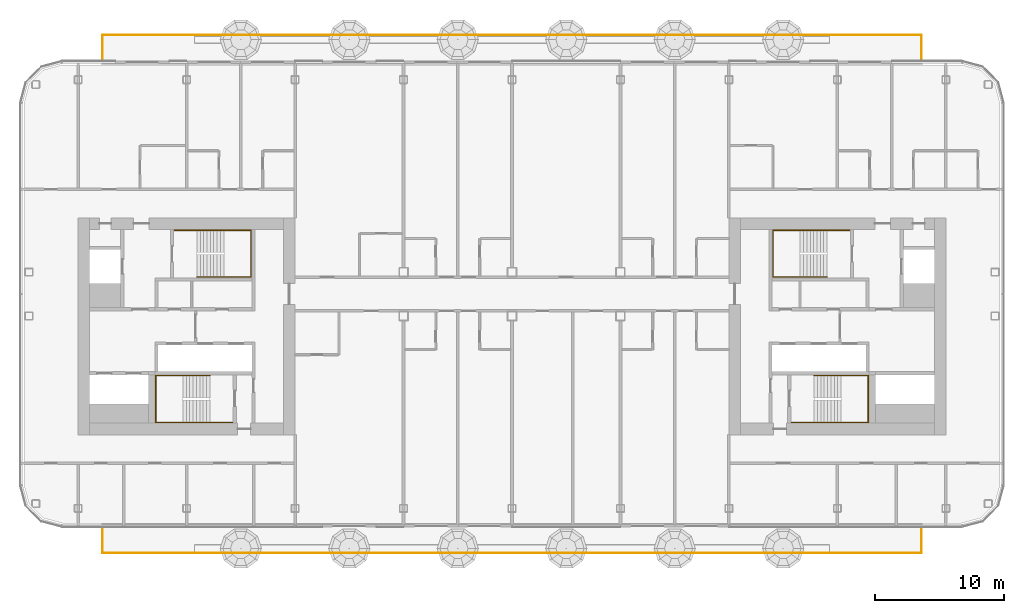
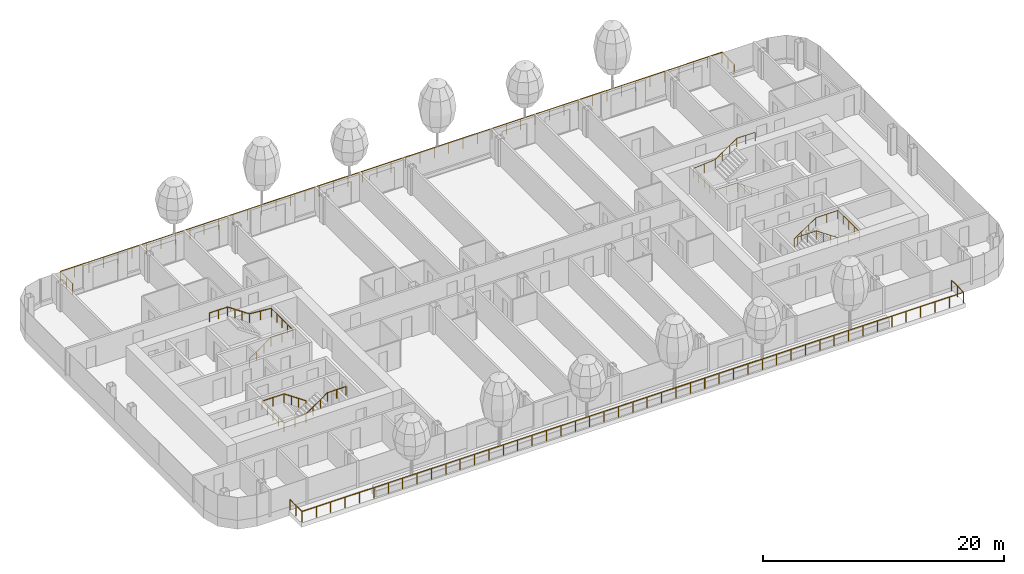
# One storey, part 24 of 28: 6 railings.
"""IFC4 building model written with IfcOpenShell, lengths in metres."""

from ifc_helpers import new_model, si_unit, direction, frame, origin, origin_2d, place, context, subcontext, project, spatial, circle, extrude, material, type_object, element, save


model = new_model("IFC4")

# Units and contexts
model_context = context("Model", 3, precision=1e-05, world=origin(), true_north=direction((0.0, 1.0)))
body_context = subcontext(model_context, "Body", "Model", "MODEL_VIEW")
ifc_project = project(units=[si_unit("LENGTHUNIT", "METRE"), si_unit("AREAUNIT", "SQUARE_METRE"), si_unit("VOLUMEUNIT", "CUBIC_METRE"), si_unit("PLANEANGLEUNIT", "RADIAN"), si_unit("MASSUNIT", "GRAM", prefix="KILO")], contexts=[model_context])

# Site, building, storey
site_placement = place(None, origin())
site = spatial("IfcSite", under=ifc_project, at=site_placement, CompositionType="ELEMENT")
building_placement = place(site_placement, origin())
building = spatial("IfcBuilding", under=site, at=building_placement, Name="Hakoniwa Tower and Hamabe Station Hall", CompositionType="ELEMENT")
storey_placement = place(building_placement, frame((0.0, 0.0, 193.0)))
storey = spatial("IfcBuildingStorey", under=building, at=storey_placement, Name="L54", CompositionType="ELEMENT", Elevation=193.0)

# Railings
ifc_material_1 = material(Name="Stainless steel and laminated glass", Category="steel")
railing_type_1 = type_object("IfcRailingType", Name="BALCONY BALUSTRADE 1100", PredefinedType="BALUSTRADE", material=ifc_material_1)
railing_1_placement = place(storey_placement, frame((-31.699951171875, 20.550048828125, 0.0)))
element("IfcRailing", 1, at=railing_1_placement, inside=storey, type_object=railing_type_1, Name="Balcony balustrade", PredefinedType="BALUSTRADE", context=body_context, shape_type="SweptSolid", body=[
    extrude(circle(Radius=0.02392578125, at=origin_2d()), frame((0.0, 0.0, 1.076171875), z_axis=(0.0, 1.0, 0.0), x_axis=(-1.0, 0.0, 0.0)), (0.0, 0.0, 1.0), 2.0),
    extrude(circle(Radius=0.02392578125, at=origin_2d()), frame((0.0, 2.0, 1.076171875), z_axis=(1.0, 0.0, 0.0), x_axis=(0.0, 1.0, 0.0)), (0.0, 0.0, 1.0), 63.39990234375),
    extrude(circle(Radius=0.02392578125, at=origin_2d()), frame((63.39990234375, 2.0, 1.076171875), z_axis=(0.0, -1.0, 0.0), x_axis=(1.0, 0.0, 0.0)), (0.0, 0.0, 1.0), 2.0),
    extrude(circle(Radius=0.02099609375, at=origin_2d()), origin(), (0.0, 0.0, 1.0), 1.052001953125),
    extrude(circle(Radius=0.02099609375, at=origin_2d()), frame((0.0, 1.0, 0.0)), (0.0, 0.0, 1.0), 1.052001953125),
    extrude(circle(Radius=0.02099609375, at=origin_2d()), frame((0.0, 2.0, 0.0)), (0.0, 0.0, 1.0), 1.052001953125),
    extrude(circle(Radius=0.02099609375, at=origin_2d()), frame((1.378173828125, 2.0, 0.0)), (0.0, 0.0, 1.0), 1.052001953125),
    extrude(circle(Radius=0.02099609375, at=origin_2d()), frame((2.756591796875, 2.0, 0.0)), (0.0, 0.0, 1.0), 1.052001953125),
    extrude(circle(Radius=0.02099609375, at=origin_2d()), frame((4.134765625, 2.0, 0.0)), (0.0, 0.0, 1.0), 1.052001953125),
    extrude(circle(Radius=0.02099609375, at=origin_2d()), frame((5.512939453125, 2.0, 0.0)), (0.0, 0.0, 1.0), 1.052001953125),
    extrude(circle(Radius=0.02099609375, at=origin_2d()), frame((6.891357421875, 2.0, 0.0)), (0.0, 0.0, 1.0), 1.052001953125),
    extrude(circle(Radius=0.02099609375, at=origin_2d()), frame((8.26953125, 2.0, 0.0)), (0.0, 0.0, 1.0), 1.052001953125),
    extrude(circle(Radius=0.02099609375, at=origin_2d()), frame((9.647705078125, 2.0, 0.0)), (0.0, 0.0, 1.0), 1.052001953125),
    extrude(circle(Radius=0.02099609375, at=origin_2d()), frame((11.026123046875, 2.0, 0.0)), (0.0, 0.0, 1.0), 1.052001953125),
    extrude(circle(Radius=0.02099609375, at=origin_2d()), frame((12.404296875, 2.0, 0.0)), (0.0, 0.0, 1.0), 1.052001953125),
    extrude(circle(Radius=0.02099609375, at=origin_2d()), frame((13.782470703125, 2.0, 0.0)), (0.0, 0.0, 1.0), 1.052001953125),
    extrude(circle(Radius=0.02099609375, at=origin_2d()), frame((15.160888671875, 2.0, 0.0)), (0.0, 0.0, 1.0), 1.052001953125),
    extrude(circle(Radius=0.02099609375, at=origin_2d()), frame((16.5390625, 2.0, 0.0)), (0.0, 0.0, 1.0), 1.052001953125),
    extrude(circle(Radius=0.02099609375, at=origin_2d()), frame((17.91748046875, 2.0, 0.0)), (0.0, 0.0, 1.0), 1.052001953125),
    extrude(circle(Radius=0.02099609375, at=origin_2d()), frame((19.295654296875, 2.0, 0.0)), (0.0, 0.0, 1.0), 1.052001953125),
    extrude(circle(Radius=0.02099609375, at=origin_2d()), frame((20.673828125, 2.0, 0.0)), (0.0, 0.0, 1.0), 1.052001953125),
    extrude(circle(Radius=0.02099609375, at=origin_2d()), frame((22.05224609375, 2.0, 0.0)), (0.0, 0.0, 1.0), 1.052001953125),
    extrude(circle(Radius=0.02099609375, at=origin_2d()), frame((23.430419921875, 2.0, 0.0)), (0.0, 0.0, 1.0), 1.052001953125),
    extrude(circle(Radius=0.02099609375, at=origin_2d()), frame((24.80859375, 2.0, 0.0)), (0.0, 0.0, 1.0), 1.052001953125),
    extrude(circle(Radius=0.02099609375, at=origin_2d()), frame((26.18701171875, 2.0, 0.0)), (0.0, 0.0, 1.0), 1.052001953125),
    extrude(circle(Radius=0.02099609375, at=origin_2d()), frame((27.565185546875, 2.0, 0.0)), (0.0, 0.0, 1.0), 1.052001953125),
    extrude(circle(Radius=0.02099609375, at=origin_2d()), frame((28.943359375, 2.0, 0.0)), (0.0, 0.0, 1.0), 1.052001953125),
    extrude(circle(Radius=0.02099609375, at=origin_2d()), frame((30.32177734375, 2.0, 0.0)), (0.0, 0.0, 1.0), 1.052001953125),
    extrude(circle(Radius=0.02099609375, at=origin_2d()), frame((31.699951171875, 2.0, 0.0)), (0.0, 0.0, 1.0), 1.052001953125),
    extrude(circle(Radius=0.02099609375, at=origin_2d()), frame((33.078125, 2.0, 0.0)), (0.0, 0.0, 1.0), 1.052001953125),
    extrude(circle(Radius=0.02099609375, at=origin_2d()), frame((34.45654296875, 2.0, 0.0)), (0.0, 0.0, 1.0), 1.052001953125),
    extrude(circle(Radius=0.02099609375, at=origin_2d()), frame((35.834716796875, 2.0, 0.0)), (0.0, 0.0, 1.0), 1.052001953125),
    extrude(circle(Radius=0.02099609375, at=origin_2d()), frame((37.212890625, 2.0, 0.0)), (0.0, 0.0, 1.0), 1.052001953125),
    extrude(circle(Radius=0.02099609375, at=origin_2d()), frame((38.59130859375, 2.0, 0.0)), (0.0, 0.0, 1.0), 1.052001953125),
    extrude(circle(Radius=0.02099609375, at=origin_2d()), frame((39.969482421875, 2.0, 0.0)), (0.0, 0.0, 1.0), 1.052001953125),
    extrude(circle(Radius=0.02099609375, at=origin_2d()), frame((41.34765625, 2.0, 0.0)), (0.0, 0.0, 1.0), 1.052001953125),
    extrude(circle(Radius=0.02099609375, at=origin_2d()), frame((42.72607421875, 2.0, 0.0)), (0.0, 0.0, 1.0), 1.052001953125),
    extrude(circle(Radius=0.02099609375, at=origin_2d()), frame((44.104248046875, 2.0, 0.0)), (0.0, 0.0, 1.0), 1.052001953125),
    extrude(circle(Radius=0.02099609375, at=origin_2d()), frame((45.482421875, 2.0, 0.0)), (0.0, 0.0, 1.0), 1.052001953125),
    extrude(circle(Radius=0.02099609375, at=origin_2d()), frame((46.86083984375, 2.0, 0.0)), (0.0, 0.0, 1.0), 1.052001953125),
    extrude(circle(Radius=0.02099609375, at=origin_2d()), frame((48.239013671875, 2.0, 0.0)), (0.0, 0.0, 1.0), 1.052001953125),
    extrude(circle(Radius=0.02099609375, at=origin_2d()), frame((49.617431640625, 2.0, 0.0)), (0.0, 0.0, 1.0), 1.052001953125),
    extrude(circle(Radius=0.02099609375, at=origin_2d()), frame((50.99560546875, 2.0, 0.0)), (0.0, 0.0, 1.0), 1.052001953125),
    extrude(circle(Radius=0.02099609375, at=origin_2d()), frame((52.373779296875, 2.0, 0.0)), (0.0, 0.0, 1.0), 1.052001953125),
    extrude(circle(Radius=0.02099609375, at=origin_2d()), frame((53.752197265625, 2.0, 0.0)), (0.0, 0.0, 1.0), 1.052001953125),
    extrude(circle(Radius=0.02099609375, at=origin_2d()), frame((55.13037109375, 2.0, 0.0)), (0.0, 0.0, 1.0), 1.052001953125),
    extrude(circle(Radius=0.02099609375, at=origin_2d()), frame((56.508544921875, 2.0, 0.0)), (0.0, 0.0, 1.0), 1.052001953125),
    extrude(circle(Radius=0.02099609375, at=origin_2d()), frame((57.886962890625, 2.0, 0.0)), (0.0, 0.0, 1.0), 1.052001953125),
    extrude(circle(Radius=0.02099609375, at=origin_2d()), frame((59.26513671875, 2.0, 0.0)), (0.0, 0.0, 1.0), 1.052001953125),
    extrude(circle(Radius=0.02099609375, at=origin_2d()), frame((60.643310546875, 2.0, 0.0)), (0.0, 0.0, 1.0), 1.052001953125),
    extrude(circle(Radius=0.02099609375, at=origin_2d()), frame((62.021728515625, 2.0, 0.0)), (0.0, 0.0, 1.0), 1.052001953125),
    extrude(circle(Radius=0.02099609375, at=origin_2d()), frame((63.39990234375, 2.0, 0.0)), (0.0, 0.0, 1.0), 1.052001953125),
    extrude(circle(Radius=0.02099609375, at=origin_2d()), frame((63.39990234375, 1.0, 0.0)), (0.0, 0.0, 1.0), 1.052001953125),
    extrude(circle(Radius=0.02099609375, at=origin_2d()), frame((63.39990234375, 0.0, 0.0)), (0.0, 0.0, 1.0), 1.052001953125),
])
railing_2_placement = place(storey_placement, frame((-31.699951171875, -15.550048828125, 0.0)))
element("IfcRailing", 2, at=railing_2_placement, inside=storey, type_object=railing_type_1, Name="Balcony balustrade", PredefinedType="BALUSTRADE", context=body_context, shape_type="SweptSolid", body=[
    extrude(circle(Radius=0.02392578125, at=origin_2d()), frame((0.0, 0.0, 1.076171875), z_axis=(0.0, -1.0, 0.0), x_axis=(1.0, 0.0, 0.0)), (0.0, 0.0, 1.0), 2.0),
    extrude(circle(Radius=0.02392578125, at=origin_2d()), frame((0.0, -2.0, 1.076171875), z_axis=(1.0, 0.0, 0.0), x_axis=(0.0, 1.0, 0.0)), (0.0, 0.0, 1.0), 63.39990234375),
    extrude(circle(Radius=0.02392578125, at=origin_2d()), frame((63.39990234375, -2.0, 1.076171875), z_axis=(0.0, 1.0, 0.0), x_axis=(-1.0, 0.0, 0.0)), (0.0, 0.0, 1.0), 2.0),
    extrude(circle(Radius=0.02099609375, at=origin_2d()), origin(), (0.0, 0.0, 1.0), 1.052001953125),
    extrude(circle(Radius=0.02099609375, at=origin_2d()), frame((0.0, -1.0, 0.0)), (0.0, 0.0, 1.0), 1.052001953125),
    extrude(circle(Radius=0.02099609375, at=origin_2d()), frame((0.0, -2.0, 0.0)), (0.0, 0.0, 1.0), 1.052001953125),
    extrude(circle(Radius=0.02099609375, at=origin_2d()), frame((1.378173828125, -2.0, 0.0)), (0.0, 0.0, 1.0), 1.052001953125),
    extrude(circle(Radius=0.02099609375, at=origin_2d()), frame((2.756591796875, -2.0, 0.0)), (0.0, 0.0, 1.0), 1.052001953125),
    extrude(circle(Radius=0.02099609375, at=origin_2d()), frame((4.134765625, -2.0, 0.0)), (0.0, 0.0, 1.0), 1.052001953125),
    extrude(circle(Radius=0.02099609375, at=origin_2d()), frame((5.512939453125, -2.0, 0.0)), (0.0, 0.0, 1.0), 1.052001953125),
    extrude(circle(Radius=0.02099609375, at=origin_2d()), frame((6.891357421875, -2.0, 0.0)), (0.0, 0.0, 1.0), 1.052001953125),
    extrude(circle(Radius=0.02099609375, at=origin_2d()), frame((8.26953125, -2.0, 0.0)), (0.0, 0.0, 1.0), 1.052001953125),
    extrude(circle(Radius=0.02099609375, at=origin_2d()), frame((9.647705078125, -2.0, 0.0)), (0.0, 0.0, 1.0), 1.052001953125),
    extrude(circle(Radius=0.02099609375, at=origin_2d()), frame((11.026123046875, -2.0, 0.0)), (0.0, 0.0, 1.0), 1.052001953125),
    extrude(circle(Radius=0.02099609375, at=origin_2d()), frame((12.404296875, -2.0, 0.0)), (0.0, 0.0, 1.0), 1.052001953125),
    extrude(circle(Radius=0.02099609375, at=origin_2d()), frame((13.782470703125, -2.0, 0.0)), (0.0, 0.0, 1.0), 1.052001953125),
    extrude(circle(Radius=0.02099609375, at=origin_2d()), frame((15.160888671875, -2.0, 0.0)), (0.0, 0.0, 1.0), 1.052001953125),
    extrude(circle(Radius=0.02099609375, at=origin_2d()), frame((16.5390625, -2.0, 0.0)), (0.0, 0.0, 1.0), 1.052001953125),
    extrude(circle(Radius=0.02099609375, at=origin_2d()), frame((17.91748046875, -2.0, 0.0)), (0.0, 0.0, 1.0), 1.052001953125),
    extrude(circle(Radius=0.02099609375, at=origin_2d()), frame((19.295654296875, -2.0, 0.0)), (0.0, 0.0, 1.0), 1.052001953125),
    extrude(circle(Radius=0.02099609375, at=origin_2d()), frame((20.673828125, -2.0, 0.0)), (0.0, 0.0, 1.0), 1.052001953125),
    extrude(circle(Radius=0.02099609375, at=origin_2d()), frame((22.05224609375, -2.0, 0.0)), (0.0, 0.0, 1.0), 1.052001953125),
    extrude(circle(Radius=0.02099609375, at=origin_2d()), frame((23.430419921875, -2.0, 0.0)), (0.0, 0.0, 1.0), 1.052001953125),
    extrude(circle(Radius=0.02099609375, at=origin_2d()), frame((24.80859375, -2.0, 0.0)), (0.0, 0.0, 1.0), 1.052001953125),
    extrude(circle(Radius=0.02099609375, at=origin_2d()), frame((26.18701171875, -2.0, 0.0)), (0.0, 0.0, 1.0), 1.052001953125),
    extrude(circle(Radius=0.02099609375, at=origin_2d()), frame((27.565185546875, -2.0, 0.0)), (0.0, 0.0, 1.0), 1.052001953125),
    extrude(circle(Radius=0.02099609375, at=origin_2d()), frame((28.943359375, -2.0, 0.0)), (0.0, 0.0, 1.0), 1.052001953125),
    extrude(circle(Radius=0.02099609375, at=origin_2d()), frame((30.32177734375, -2.0, 0.0)), (0.0, 0.0, 1.0), 1.052001953125),
    extrude(circle(Radius=0.02099609375, at=origin_2d()), frame((31.699951171875, -2.0, 0.0)), (0.0, 0.0, 1.0), 1.052001953125),
    extrude(circle(Radius=0.02099609375, at=origin_2d()), frame((33.078125, -2.0, 0.0)), (0.0, 0.0, 1.0), 1.052001953125),
    extrude(circle(Radius=0.02099609375, at=origin_2d()), frame((34.45654296875, -2.0, 0.0)), (0.0, 0.0, 1.0), 1.052001953125),
    extrude(circle(Radius=0.02099609375, at=origin_2d()), frame((35.834716796875, -2.0, 0.0)), (0.0, 0.0, 1.0), 1.052001953125),
    extrude(circle(Radius=0.02099609375, at=origin_2d()), frame((37.212890625, -2.0, 0.0)), (0.0, 0.0, 1.0), 1.052001953125),
    extrude(circle(Radius=0.02099609375, at=origin_2d()), frame((38.59130859375, -2.0, 0.0)), (0.0, 0.0, 1.0), 1.052001953125),
    extrude(circle(Radius=0.02099609375, at=origin_2d()), frame((39.969482421875, -2.0, 0.0)), (0.0, 0.0, 1.0), 1.052001953125),
    extrude(circle(Radius=0.02099609375, at=origin_2d()), frame((41.34765625, -2.0, 0.0)), (0.0, 0.0, 1.0), 1.052001953125),
    extrude(circle(Radius=0.02099609375, at=origin_2d()), frame((42.72607421875, -2.0, 0.0)), (0.0, 0.0, 1.0), 1.052001953125),
    extrude(circle(Radius=0.02099609375, at=origin_2d()), frame((44.104248046875, -2.0, 0.0)), (0.0, 0.0, 1.0), 1.052001953125),
    extrude(circle(Radius=0.02099609375, at=origin_2d()), frame((45.482421875, -2.0, 0.0)), (0.0, 0.0, 1.0), 1.052001953125),
    extrude(circle(Radius=0.02099609375, at=origin_2d()), frame((46.86083984375, -2.0, 0.0)), (0.0, 0.0, 1.0), 1.052001953125),
    extrude(circle(Radius=0.02099609375, at=origin_2d()), frame((48.239013671875, -2.0, 0.0)), (0.0, 0.0, 1.0), 1.052001953125),
    extrude(circle(Radius=0.02099609375, at=origin_2d()), frame((49.617431640625, -2.0, 0.0)), (0.0, 0.0, 1.0), 1.052001953125),
    extrude(circle(Radius=0.02099609375, at=origin_2d()), frame((50.99560546875, -2.0, 0.0)), (0.0, 0.0, 1.0), 1.052001953125),
    extrude(circle(Radius=0.02099609375, at=origin_2d()), frame((52.373779296875, -2.0, 0.0)), (0.0, 0.0, 1.0), 1.052001953125),
    extrude(circle(Radius=0.02099609375, at=origin_2d()), frame((53.752197265625, -2.0, 0.0)), (0.0, 0.0, 1.0), 1.052001953125),
    extrude(circle(Radius=0.02099609375, at=origin_2d()), frame((55.13037109375, -2.0, 0.0)), (0.0, 0.0, 1.0), 1.052001953125),
    extrude(circle(Radius=0.02099609375, at=origin_2d()), frame((56.508544921875, -2.0, 0.0)), (0.0, 0.0, 1.0), 1.052001953125),
    extrude(circle(Radius=0.02099609375, at=origin_2d()), frame((57.886962890625, -2.0, 0.0)), (0.0, 0.0, 1.0), 1.052001953125),
    extrude(circle(Radius=0.02099609375, at=origin_2d()), frame((59.26513671875, -2.0, 0.0)), (0.0, 0.0, 1.0), 1.052001953125),
    extrude(circle(Radius=0.02099609375, at=origin_2d()), frame((60.643310546875, -2.0, 0.0)), (0.0, 0.0, 1.0), 1.052001953125),
    extrude(circle(Radius=0.02099609375, at=origin_2d()), frame((62.021728515625, -2.0, 0.0)), (0.0, 0.0, 1.0), 1.052001953125),
    extrude(circle(Radius=0.02099609375, at=origin_2d()), frame((63.39990234375, -2.0, 0.0)), (0.0, 0.0, 1.0), 1.052001953125),
    extrude(circle(Radius=0.02099609375, at=origin_2d()), frame((63.39990234375, -1.0, 0.0)), (0.0, 0.0, 1.0), 1.052001953125),
    extrude(circle(Radius=0.02099609375, at=origin_2d()), frame((63.39990234375, 0.0, 0.0)), (0.0, 0.0, 1.0), 1.052001953125),
])
ifc_material_2 = material(Name="Stainless steel SUS304", Category="steel")
railing_type_2 = type_object("IfcRailingType", Name="STAIR HANDRAIL 900", PredefinedType="HANDRAIL", material=ifc_material_2)
railing_3_placement = place(storey_placement, frame((-24.39990234375, 3.81005859375, 0.177734375)))
element("IfcRailing", 3, at=railing_3_placement, inside=storey, type_object=railing_type_2, Name="Handrail ST-1 L54 1", PredefinedType="HANDRAIL", context=body_context, shape_type="SweptSolid", body=[
    extrude(circle(Radius=0.02392578125, at=origin_2d()), frame((0.0, 0.0, 0.8759765625), z_axis=(0.825433201882, 0.0, 0.564499804456), x_axis=(0.0, 1.0, 0.0)), (0.0, 0.0, 1.0), 2.519775390625),
    extrude(circle(Radius=0.02392578125, at=origin_2d()), frame((2.079833984375, 0.0, 2.29833984375), z_axis=(1.0, 0.0, 0.0), x_axis=(0.0, 1.0, 0.0)), (0.0, 0.0, 1.0), 2.110107421875),
    extrude(circle(Radius=0.02392578125, at=origin_2d()), frame((4.18994140625, 0.0, 2.29833984375), z_axis=(0.0, 1.0, 0.0), x_axis=(-1.0, 0.0, 0.0)), (0.0, 0.0, 1.0), 3.6298828125),
    extrude(circle(Radius=0.02392578125, at=origin_2d()), frame((4.18994140625, 3.6298828125, 2.29833984375), z_axis=(-0.996471417081, 0.0, 0.083932800143), x_axis=(0.0, -1.0, 0.0)), (0.0, 0.0, 1.0), 2.11767578125),
    extrude(circle(Radius=0.02392578125, at=origin_2d()), frame((2.079833984375, 3.6298828125, 2.47607421875), z_axis=(-0.825478349766, 0.0, 0.564433781827), x_axis=(0.0, -1.0, 0.0)), (0.0, 0.0, 1.0), 2.51953125),
    extrude(circle(Radius=0.02392578125, at=origin_2d()), frame((0.0, 3.6298828125, 3.89794921875), z_axis=(-1.0, 0.0, 0.0), x_axis=(0.0, -1.0, 0.0)), (0.0, 0.0, 1.0), 1.739990234375),
    extrude(circle(Radius=0.02099609375, at=origin_2d()), origin(), (0.0, 0.0, 1.0), 0.851806640625),
    extrude(circle(Radius=0.02099609375, at=origin_2d()), frame((0.693359375, 0.0, 0.47412109375)), (0.0, 0.0, 1.0), 0.851806640625),
    extrude(circle(Radius=0.02099609375, at=origin_2d()), frame((1.386474609375, 0.0, 0.9482421875)), (0.0, 0.0, 1.0), 0.851806640625),
    extrude(circle(Radius=0.02099609375, at=origin_2d()), frame((2.079833984375, 0.0, 1.42236328125)), (0.0, 0.0, 1.0), 0.851806640625),
    extrude(circle(Radius=0.02099609375, at=origin_2d()), frame((3.134765625, 0.0, 1.42236328125)), (0.0, 0.0, 1.0), 0.851806640625),
    extrude(circle(Radius=0.02099609375, at=origin_2d()), frame((4.18994140625, 0.0, 1.42236328125)), (0.0, 0.0, 1.0), 0.851806640625),
    extrude(circle(Radius=0.02099609375, at=origin_2d()), frame((4.18994140625, 0.907470703125, 1.42236328125)), (0.0, 0.0, 1.0), 0.851806640625),
    extrude(circle(Radius=0.02099609375, at=origin_2d()), frame((4.18994140625, 1.81494140625, 1.42236328125)), (0.0, 0.0, 1.0), 0.851806640625),
    extrude(circle(Radius=0.02099609375, at=origin_2d()), frame((4.18994140625, 2.722412109375, 1.42236328125)), (0.0, 0.0, 1.0), 0.851806640625),
    extrude(circle(Radius=0.02099609375, at=origin_2d()), frame((4.18994140625, 3.6298828125, 1.42236328125)), (0.0, 0.0, 1.0), 0.851806640625),
    extrude(circle(Radius=0.02099609375, at=origin_2d()), frame((3.134765625, 3.6298828125, 1.51123046875)), (0.0, 0.0, 1.0), 0.851806640625),
    extrude(circle(Radius=0.02099609375, at=origin_2d()), frame((2.079833984375, 3.6298828125, 1.60009765625)), (0.0, 0.0, 1.0), 0.851806640625),
    extrude(circle(Radius=0.02099609375, at=origin_2d()), frame((1.386474609375, 3.6298828125, 2.07421875)), (0.0, 0.0, 1.0), 0.851806640625),
    extrude(circle(Radius=0.02099609375, at=origin_2d()), frame((0.693359375, 3.6298828125, 2.548095703125)), (0.0, 0.0, 1.0), 0.851806640625),
    extrude(circle(Radius=0.02099609375, at=origin_2d()), frame((0.0, 3.6298828125, 3.022216796875)), (0.0, 0.0, 1.0), 0.851806640625),
    extrude(circle(Radius=0.02099609375, at=origin_2d()), frame((-0.8701171875, 3.6298828125, 3.022216796875)), (0.0, 0.0, 1.0), 0.851806640625),
    extrude(circle(Radius=0.02099609375, at=origin_2d()), frame((-1.739990234375, 3.6298828125, 3.022216796875)), (0.0, 0.0, 1.0), 0.851806640625),
])
railing_4_placement = place(storey_placement, frame((-23.39990234375, -3.81005859375, 0.177734375)))
element("IfcRailing", 4, at=railing_4_placement, inside=storey, type_object=railing_type_2, Name="Handrail ST-2 L54 1", PredefinedType="HANDRAIL", context=body_context, shape_type="SweptSolid", body=[
    extrude(circle(Radius=0.02392578125, at=origin_2d()), frame((0.0, 0.0, 0.8759765625), z_axis=(-0.825464074169, 0.0, 0.564454659168), x_axis=(0.0, -1.0, 0.0)), (0.0, 0.0, 1.0), 2.519775390625),
    extrude(circle(Radius=0.02392578125, at=origin_2d()), frame((-2.080078125, 0.0, 2.29833984375), z_axis=(-1.0, 0.0, 0.0), x_axis=(0.0, -1.0, 0.0)), (0.0, 0.0, 1.0), 2.110107421875),
    extrude(circle(Radius=0.02392578125, at=origin_2d()), frame((-4.190185546875, 0.0, 2.29833984375), z_axis=(0.0, -1.0, 0.0), x_axis=(1.0, 0.0, 0.0)), (0.0, 0.0, 1.0), 3.6298828125),
    extrude(circle(Radius=0.02392578125, at=origin_2d()), frame((-4.190185546875, -3.6298828125, 2.29833984375), z_axis=(0.996471417081, 0.0, 0.083932800143), x_axis=(0.0, 1.0, 0.0)), (0.0, 0.0, 1.0), 2.11767578125),
    extrude(circle(Radius=0.02392578125, at=origin_2d()), frame((-2.080078125, -3.6298828125, 2.47607421875), z_axis=(0.82550921652, 0.0, 0.564388636881), x_axis=(0.0, 1.0, 0.0)), (0.0, 0.0, 1.0), 2.519775390625),
    extrude(circle(Radius=0.02392578125, at=origin_2d()), frame((0.0, -3.6298828125, 3.89794921875), z_axis=(1.0, 0.0, 0.0), x_axis=(0.0, 1.0, 0.0)), (0.0, 0.0, 1.0), 1.739990234375),
    extrude(circle(Radius=0.02099609375, at=origin_2d()), origin(), (0.0, 0.0, 1.0), 0.851806640625),
    extrude(circle(Radius=0.02099609375, at=origin_2d()), frame((-0.693359375, 0.0, 0.47412109375)), (0.0, 0.0, 1.0), 0.851806640625),
    extrude(circle(Radius=0.02099609375, at=origin_2d()), frame((-1.38671875, 0.0, 0.9482421875)), (0.0, 0.0, 1.0), 0.851806640625),
    extrude(circle(Radius=0.02099609375, at=origin_2d()), frame((-2.080078125, 0.0, 1.42236328125)), (0.0, 0.0, 1.0), 0.851806640625),
    extrude(circle(Radius=0.02099609375, at=origin_2d()), frame((-3.13525390625, 0.0, 1.42236328125)), (0.0, 0.0, 1.0), 0.851806640625),
    extrude(circle(Radius=0.02099609375, at=origin_2d()), frame((-4.190185546875, 0.0, 1.42236328125)), (0.0, 0.0, 1.0), 0.851806640625),
    extrude(circle(Radius=0.02099609375, at=origin_2d()), frame((-4.190185546875, -0.907470703125, 1.42236328125)), (0.0, 0.0, 1.0), 0.851806640625),
    extrude(circle(Radius=0.02099609375, at=origin_2d()), frame((-4.190185546875, -1.81494140625, 1.42236328125)), (0.0, 0.0, 1.0), 0.851806640625),
    extrude(circle(Radius=0.02099609375, at=origin_2d()), frame((-4.190185546875, -2.722412109375, 1.42236328125)), (0.0, 0.0, 1.0), 0.851806640625),
    extrude(circle(Radius=0.02099609375, at=origin_2d()), frame((-4.190185546875, -3.6298828125, 1.42236328125)), (0.0, 0.0, 1.0), 0.851806640625),
    extrude(circle(Radius=0.02099609375, at=origin_2d()), frame((-3.13525390625, -3.6298828125, 1.51123046875)), (0.0, 0.0, 1.0), 0.851806640625),
    extrude(circle(Radius=0.02099609375, at=origin_2d()), frame((-2.080078125, -3.6298828125, 1.60009765625)), (0.0, 0.0, 1.0), 0.851806640625),
    extrude(circle(Radius=0.02099609375, at=origin_2d()), frame((-1.38671875, -3.6298828125, 2.07421875)), (0.0, 0.0, 1.0), 0.851806640625),
    extrude(circle(Radius=0.02099609375, at=origin_2d()), frame((-0.693359375, -3.6298828125, 2.548095703125)), (0.0, 0.0, 1.0), 0.851806640625),
    extrude(circle(Radius=0.02099609375, at=origin_2d()), frame((0.0, -3.6298828125, 3.022216796875)), (0.0, 0.0, 1.0), 0.851806640625),
    extrude(circle(Radius=0.02099609375, at=origin_2d()), frame((0.8701171875, -3.6298828125, 3.022216796875)), (0.0, 0.0, 1.0), 0.851806640625),
    extrude(circle(Radius=0.02099609375, at=origin_2d()), frame((1.739990234375, -3.6298828125, 3.022216796875)), (0.0, 0.0, 1.0), 0.851806640625),
])
railing_5_placement = place(storey_placement, frame((24.39990234375, 3.81005859375, 0.177734375)))
element("IfcRailing", 5, at=railing_5_placement, inside=storey, type_object=railing_type_2, Name="Handrail ST-3 L54 1", PredefinedType="HANDRAIL", context=body_context, shape_type="SweptSolid", body=[
    extrude(circle(Radius=0.02392578125, at=origin_2d()), frame((0.0, 0.0, 0.8759765625), z_axis=(-0.825433201882, 0.0, 0.564499804456), x_axis=(0.0, -1.0, 0.0)), (0.0, 0.0, 1.0), 2.519775390625),
    extrude(circle(Radius=0.02392578125, at=origin_2d()), frame((-2.079833984375, 0.0, 2.29833984375), z_axis=(-1.0, 0.0, 0.0), x_axis=(0.0, -1.0, 0.0)), (0.0, 0.0, 1.0), 2.110107421875),
    extrude(circle(Radius=0.02392578125, at=origin_2d()), frame((-4.18994140625, 0.0, 2.29833984375), z_axis=(0.0, 1.0, 0.0), x_axis=(-1.0, 0.0, 0.0)), (0.0, 0.0, 1.0), 3.6298828125),
    extrude(circle(Radius=0.02392578125, at=origin_2d()), frame((-4.18994140625, 3.6298828125, 2.29833984375), z_axis=(0.996471417081, 0.0, 0.083932800143), x_axis=(0.0, 1.0, 0.0)), (0.0, 0.0, 1.0), 2.11767578125),
    extrude(circle(Radius=0.02392578125, at=origin_2d()), frame((-2.079833984375, 3.6298828125, 2.47607421875), z_axis=(0.825478349766, 0.0, 0.564433781827), x_axis=(0.0, 1.0, 0.0)), (0.0, 0.0, 1.0), 2.51953125),
    extrude(circle(Radius=0.02392578125, at=origin_2d()), frame((0.0, 3.6298828125, 3.89794921875), z_axis=(1.0, 0.0, 0.0), x_axis=(0.0, 1.0, 0.0)), (0.0, 0.0, 1.0), 1.739990234375),
    extrude(circle(Radius=0.02099609375, at=origin_2d()), origin(), (0.0, 0.0, 1.0), 0.851806640625),
    extrude(circle(Radius=0.02099609375, at=origin_2d()), frame((-0.693359375, 0.0, 0.47412109375)), (0.0, 0.0, 1.0), 0.851806640625),
    extrude(circle(Radius=0.02099609375, at=origin_2d()), frame((-1.386474609375, 0.0, 0.9482421875)), (0.0, 0.0, 1.0), 0.851806640625),
    extrude(circle(Radius=0.02099609375, at=origin_2d()), frame((-2.079833984375, 0.0, 1.42236328125)), (0.0, 0.0, 1.0), 0.851806640625),
    extrude(circle(Radius=0.02099609375, at=origin_2d()), frame((-3.134765625, 0.0, 1.42236328125)), (0.0, 0.0, 1.0), 0.851806640625),
    extrude(circle(Radius=0.02099609375, at=origin_2d()), frame((-4.18994140625, 0.0, 1.42236328125)), (0.0, 0.0, 1.0), 0.851806640625),
    extrude(circle(Radius=0.02099609375, at=origin_2d()), frame((-4.18994140625, 0.907470703125, 1.42236328125)), (0.0, 0.0, 1.0), 0.851806640625),
    extrude(circle(Radius=0.02099609375, at=origin_2d()), frame((-4.18994140625, 1.81494140625, 1.42236328125)), (0.0, 0.0, 1.0), 0.851806640625),
    extrude(circle(Radius=0.02099609375, at=origin_2d()), frame((-4.18994140625, 2.722412109375, 1.42236328125)), (0.0, 0.0, 1.0), 0.851806640625),
    extrude(circle(Radius=0.02099609375, at=origin_2d()), frame((-4.18994140625, 3.6298828125, 1.42236328125)), (0.0, 0.0, 1.0), 0.851806640625),
    extrude(circle(Radius=0.02099609375, at=origin_2d()), frame((-3.134765625, 3.6298828125, 1.51123046875)), (0.0, 0.0, 1.0), 0.851806640625),
    extrude(circle(Radius=0.02099609375, at=origin_2d()), frame((-2.079833984375, 3.6298828125, 1.60009765625)), (0.0, 0.0, 1.0), 0.851806640625),
    extrude(circle(Radius=0.02099609375, at=origin_2d()), frame((-1.386474609375, 3.6298828125, 2.07421875)), (0.0, 0.0, 1.0), 0.851806640625),
    extrude(circle(Radius=0.02099609375, at=origin_2d()), frame((-0.693359375, 3.6298828125, 2.548095703125)), (0.0, 0.0, 1.0), 0.851806640625),
    extrude(circle(Radius=0.02099609375, at=origin_2d()), frame((0.0, 3.6298828125, 3.022216796875)), (0.0, 0.0, 1.0), 0.851806640625),
    extrude(circle(Radius=0.02099609375, at=origin_2d()), frame((0.8701171875, 3.6298828125, 3.022216796875)), (0.0, 0.0, 1.0), 0.851806640625),
    extrude(circle(Radius=0.02099609375, at=origin_2d()), frame((1.739990234375, 3.6298828125, 3.022216796875)), (0.0, 0.0, 1.0), 0.851806640625),
])
railing_6_placement = place(storey_placement, frame((23.39990234375, -3.81005859375, 0.177734375)))
element("IfcRailing", 6, at=railing_6_placement, inside=storey, type_object=railing_type_2, Name="Handrail ST-4 L54 1", PredefinedType="HANDRAIL", context=body_context, shape_type="SweptSolid", body=[
    extrude(circle(Radius=0.02392578125, at=origin_2d()), frame((0.0, 0.0, 0.8759765625), z_axis=(0.825464074169, 0.0, 0.564454659168), x_axis=(0.0, 1.0, 0.0)), (0.0, 0.0, 1.0), 2.519775390625),
    extrude(circle(Radius=0.02392578125, at=origin_2d()), frame((2.080078125, 0.0, 2.29833984375), z_axis=(1.0, 0.0, 0.0), x_axis=(0.0, 1.0, 0.0)), (0.0, 0.0, 1.0), 2.110107421875),
    extrude(circle(Radius=0.02392578125, at=origin_2d()), frame((4.190185546875, 0.0, 2.29833984375), z_axis=(0.0, -1.0, 0.0), x_axis=(1.0, 0.0, 0.0)), (0.0, 0.0, 1.0), 3.6298828125),
    extrude(circle(Radius=0.02392578125, at=origin_2d()), frame((4.190185546875, -3.6298828125, 2.29833984375), z_axis=(-0.996471417081, 0.0, 0.083932800143), x_axis=(0.0, -1.0, 0.0)), (0.0, 0.0, 1.0), 2.11767578125),
    extrude(circle(Radius=0.02392578125, at=origin_2d()), frame((2.080078125, -3.6298828125, 2.47607421875), z_axis=(-0.82550921652, 0.0, 0.564388636881), x_axis=(0.0, -1.0, 0.0)), (0.0, 0.0, 1.0), 2.519775390625),
    extrude(circle(Radius=0.02392578125, at=origin_2d()), frame((0.0, -3.6298828125, 3.89794921875), z_axis=(-1.0, 0.0, 0.0), x_axis=(0.0, -1.0, 0.0)), (0.0, 0.0, 1.0), 1.739990234375),
    extrude(circle(Radius=0.02099609375, at=origin_2d()), origin(), (0.0, 0.0, 1.0), 0.851806640625),
    extrude(circle(Radius=0.02099609375, at=origin_2d()), frame((0.693359375, 0.0, 0.47412109375)), (0.0, 0.0, 1.0), 0.851806640625),
    extrude(circle(Radius=0.02099609375, at=origin_2d()), frame((1.38671875, 0.0, 0.9482421875)), (0.0, 0.0, 1.0), 0.851806640625),
    extrude(circle(Radius=0.02099609375, at=origin_2d()), frame((2.080078125, 0.0, 1.42236328125)), (0.0, 0.0, 1.0), 0.851806640625),
    extrude(circle(Radius=0.02099609375, at=origin_2d()), frame((3.13525390625, 0.0, 1.42236328125)), (0.0, 0.0, 1.0), 0.851806640625),
    extrude(circle(Radius=0.02099609375, at=origin_2d()), frame((4.190185546875, 0.0, 1.42236328125)), (0.0, 0.0, 1.0), 0.851806640625),
    extrude(circle(Radius=0.02099609375, at=origin_2d()), frame((4.190185546875, -0.907470703125, 1.42236328125)), (0.0, 0.0, 1.0), 0.851806640625),
    extrude(circle(Radius=0.02099609375, at=origin_2d()), frame((4.190185546875, -1.81494140625, 1.42236328125)), (0.0, 0.0, 1.0), 0.851806640625),
    extrude(circle(Radius=0.02099609375, at=origin_2d()), frame((4.190185546875, -2.722412109375, 1.42236328125)), (0.0, 0.0, 1.0), 0.851806640625),
    extrude(circle(Radius=0.02099609375, at=origin_2d()), frame((4.190185546875, -3.6298828125, 1.42236328125)), (0.0, 0.0, 1.0), 0.851806640625),
    extrude(circle(Radius=0.02099609375, at=origin_2d()), frame((3.13525390625, -3.6298828125, 1.51123046875)), (0.0, 0.0, 1.0), 0.851806640625),
    extrude(circle(Radius=0.02099609375, at=origin_2d()), frame((2.080078125, -3.6298828125, 1.60009765625)), (0.0, 0.0, 1.0), 0.851806640625),
    extrude(circle(Radius=0.02099609375, at=origin_2d()), frame((1.38671875, -3.6298828125, 2.07421875)), (0.0, 0.0, 1.0), 0.851806640625),
    extrude(circle(Radius=0.02099609375, at=origin_2d()), frame((0.693359375, -3.6298828125, 2.548095703125)), (0.0, 0.0, 1.0), 0.851806640625),
    extrude(circle(Radius=0.02099609375, at=origin_2d()), frame((0.0, -3.6298828125, 3.022216796875)), (0.0, 0.0, 1.0), 0.851806640625),
    extrude(circle(Radius=0.02099609375, at=origin_2d()), frame((-0.8701171875, -3.6298828125, 3.022216796875)), (0.0, 0.0, 1.0), 0.851806640625),
    extrude(circle(Radius=0.02099609375, at=origin_2d()), frame((-1.739990234375, -3.6298828125, 3.022216796875)), (0.0, 0.0, 1.0), 0.851806640625),
])

save(model, "model.ifc")
